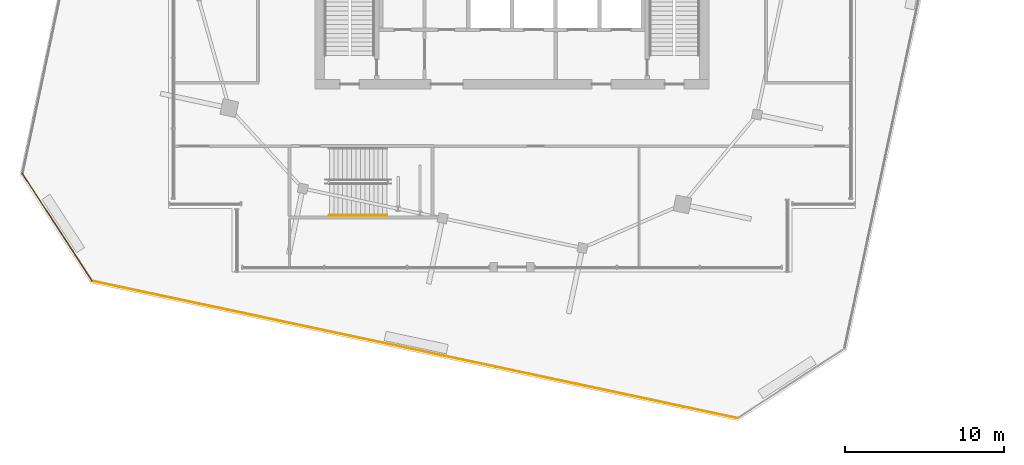
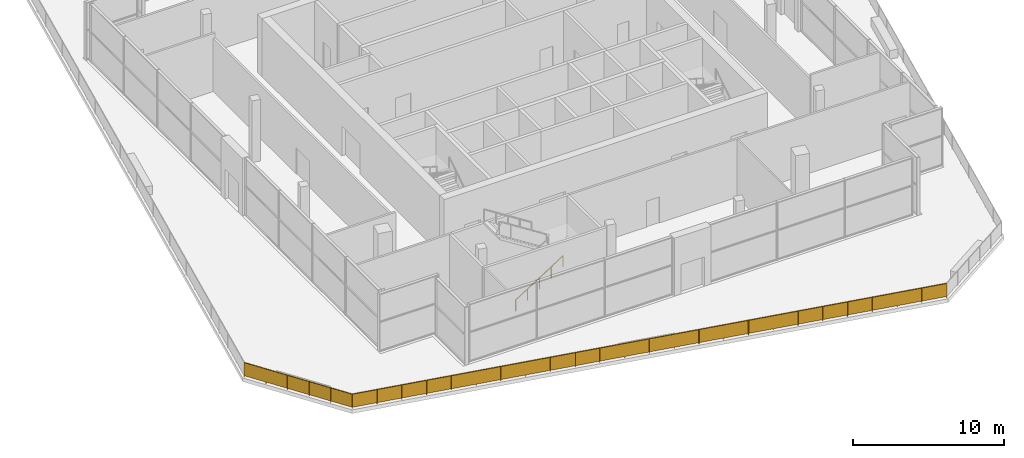
# One storey, part 11 of 14: 3 railings.
"""IFC4 building model written with IfcOpenShell, lengths in metres."""

import ifcopenshell
import ifcopenshell.guid

model = None  # the IFC model being written
_history = None  # IfcOwnerHistory: only IFC2X3 demands one
_inside = {}  # id of a spatial element -> (the spatial element, [elements in it])
_under = {}  # id of a project, library or spatial element -> (it, [spatial elements below it])
_declared = {}  # id of a project -> (the project, [libraries it declares])
_typed = {}  # id of a type object -> (the type object, [elements of that type])
_made_of = {}  # id of a material, layer set ... -> (it, [elements and type objects made of it])


def new_model(schema):
    """Start an empty IFC model of exactly this schema.

    Asked for "IFC4X3", IfcOpenShell would pick the latest addendum, in which some entities
    have other attributes; the version numbers below select the first issue.
    IFC2X3 requires an IfcOwnerHistory on every rooted entity: one is made here for all.
    """
    global model, _history
    if schema == "IFC4X3":
        model = ifcopenshell.file(schema_version=(4, 3, 0, 0))
    else:
        model = ifcopenshell.file(schema=schema)
    _inside.clear()
    _under.clear()
    _declared.clear()
    _typed.clear()
    _made_of.clear()
    _history = None
    if model.schema == "IFC2X3":
        org = make("IfcOrganization", Name="unknown")
        user = make(
            "IfcPersonAndOrganization",
            ThePerson=make("IfcPerson", FamilyName="unknown"),
            TheOrganization=org,
        )
        app = make(
            "IfcApplication",
            ApplicationDeveloper=org,
            Version="unknown",
            ApplicationFullName="unknown",
            ApplicationIdentifier="unknown",
        )
        _history = make(
            "IfcOwnerHistory",
            OwningUser=user,
            OwningApplication=app,
            ChangeAction="ADDED",
            CreationDate=0,
        )
    return model


def make(cls, **values):
    """One entity of the class cls with the attributes given. An attribute that is None is left unset."""
    return model.create_entity(
        cls, **{name: value for name, value in values.items() if value is not None}
    )


def rooted(cls, **values):
    """An entity with a GlobalId (a new one), such as an element, a storey or a relation."""
    return make(cls, GlobalId=ifcopenshell.guid.new(), OwnerHistory=_history, **values)


def si_unit(unit_type, name, prefix=None):
    """IfcSIUnit, for example si_unit("LENGTHUNIT", "METRE", prefix="MILLI")."""
    return make("IfcSIUnit", UnitType=unit_type, Prefix=prefix, Name=name)


def assignment(units):
    """IfcUnitAssignment: the units of a project."""
    return None if units is None else make("IfcUnitAssignment", Units=units)


def point(xyz):
    """IfcCartesianPoint."""
    return None if xyz is None else make("IfcCartesianPoint", Coordinates=xyz)


def direction(xyz):
    """IfcDirection."""
    return None if xyz is None else make("IfcDirection", DirectionRatios=xyz)


def frame(location, z_axis=None, x_axis=None):
    """IfcAxis2Placement3D, a coordinate frame: its origin and axes. An axis left out is left unset."""
    return make(
        "IfcAxis2Placement3D",
        Location=point(location),
        Axis=direction(z_axis),
        RefDirection=direction(x_axis),
    )


def frame_2d(location, x_axis=None):
    """IfcAxis2Placement2D, a coordinate frame in the plane: its origin and x axis."""
    return make(
        "IfcAxis2Placement2D", Location=point(location), RefDirection=direction(x_axis)
    )


def origin():
    """The frame at (0, 0, 0) with its axes left unset."""
    return frame((0.0, 0.0, 0.0))


def origin_2d():
    """The frame at (0, 0) in the plane with its x axis left unset."""
    return frame_2d((0.0, 0.0))


def place(relative_to, where):
    """IfcLocalPlacement: puts the frame where relative to a parent placement (None: the world)."""
    return make(
        "IfcLocalPlacement", PlacementRelTo=relative_to, RelativePlacement=where
    )


def context(
    kind, dimensions, precision=None, world=None, true_north=None, identifier=None
):
    """IfcGeometricRepresentationContext, for example the 3D "Model" context."""
    return make(
        "IfcGeometricRepresentationContext",
        ContextIdentifier=identifier,
        ContextType=kind,
        CoordinateSpaceDimension=dimensions,
        Precision=precision,
        WorldCoordinateSystem=world,
        TrueNorth=true_north,
    )


def subcontext(parent, identifier, kind, view, scale=None):
    """IfcGeometricRepresentationSubContext, for example "Body" below "Model"."""
    return make(
        "IfcGeometricRepresentationSubContext",
        ContextIdentifier=identifier,
        ContextType=kind,
        ParentContext=parent,
        TargetScale=scale,
        TargetView=view,
    )


def project(units=None, contexts=None):
    """IfcProject with its units and contexts."""
    return rooted(
        "IfcProject",
        Name="project",
        RepresentationContexts=contexts,
        UnitsInContext=assignment(units),
    )


def spatial(cls, under=None, at=None, **own):
    """A site, building, storey or space (cls), placed at a placement, below another one or the project."""
    s = rooted(cls, ObjectPlacement=at, **own)
    if under is not None:
        _under.setdefault(under.id(), (under, []))[1].append(s)
    return s


def profile(cls, at=None, kind="AREA", **sizes):
    """A parametric profile (cls). Its sizes go by their IFC names, for example OverallWidth=200.0."""
    return make(cls, ProfileType=kind, Position=at, **sizes)


def rectangle(**sizes):
    """IfcRectangleProfileDef."""
    return profile("IfcRectangleProfileDef", **sizes)


def circle(**sizes):
    """IfcCircleProfileDef."""
    return profile("IfcCircleProfileDef", **sizes)


def extrude(swept, where, along, depth):
    """IfcExtrudedAreaSolid: the profile swept, set in the frame where, extruded along a direction by depth."""
    return make(
        "IfcExtrudedAreaSolid",
        SweptArea=swept,
        Position=where,
        ExtrudedDirection=direction(along),
        Depth=depth,
    )


def shape(context_of_items, identifier, shape_type, items):
    """IfcShapeRepresentation: the items that make up one representation, for example the "Body"."""
    return make(
        "IfcShapeRepresentation",
        ContextOfItems=context_of_items,
        RepresentationIdentifier=identifier,
        RepresentationType=shape_type,
        Items=items,
    )


def material(Name=None, Category=None):
    """IfcMaterial."""
    return make("IfcMaterial", Name=Name, Category=Category)


def made_of(thing, what):
    """Note that an element or type object is made of a material, layer set ...; save() writes the relation."""
    if what is not None:
        _made_of.setdefault(what.id(), (what, []))[1].append(thing)
    return thing


def type_object(cls, material=None, **own):
    """A type object (cls), such as IfcWallType, which elements share."""
    return made_of(rooted(cls, **own), material)


def element(
    cls,
    number,
    at=None,
    inside=None,
    cuts=None,
    type_object=None,
    material=None,
    context=None,
    identifier="Body",
    shape_type=None,
    held_by="IfcProductDefinitionShape",
    body=None,
    shapes=None,
    **own,
):
    """One element of the class cls, such as IfcWall. Its Tag is "e" and its number.

    at: its placement. inside: the storey or other place that contains it. cuts: it is an
    opening in that element (IfcRelVoidsElement). A single representation is given by context,
    identifier, shape_type and body (its items); several are given by shapes. held_by: the class
    of the entity that holds the representations. save() writes the other relations.
    """
    e = rooted(cls, Tag="e%d" % number, ObjectPlacement=at, **own)
    if body is not None:
        shapes = [shape(context, identifier, shape_type, body)]
    if shapes is not None:
        e.Representation = make(held_by, Representations=shapes)
    if inside is not None:
        _inside.setdefault(inside.id(), (inside, []))[1].append(e)
    if cuts is not None:
        rooted(
            "IfcRelVoidsElement", RelatingBuildingElement=cuts, RelatedOpeningElement=e
        )
    if type_object is not None:
        _typed.setdefault(type_object.id(), (type_object, []))[1].append(e)
    return made_of(e, material)


def aggregate(whole, parts):
    """IfcRelAggregates: a whole, such as a stair, and the parts it consists of."""
    return rooted("IfcRelAggregates", RelatingObject=whole, RelatedObjects=parts)


def save(model, path):
    """Write the relations noted so far, then the file.

    IfcRelAggregates (storeys below a building ...), IfcRelContainedInSpatialStructure (elements
    in a storey), IfcRelDefinesByType, IfcRelAssociatesMaterial and IfcRelDeclares: one each for
    every whole, place, type object, material and project.
    """
    for whole, parts in _under.values():
        aggregate(whole, parts)
    for where, things in _inside.values():
        rooted(
            "IfcRelContainedInSpatialStructure",
            RelatedElements=things,
            RelatingStructure=where,
        )
    for kind, things in _typed.values():
        rooted("IfcRelDefinesByType", RelatedObjects=things, RelatingType=kind)
    for what, things in _made_of.values():
        rooted("IfcRelAssociatesMaterial", RelatedObjects=things, RelatingMaterial=what)
    for by, libraries in _declared.values():
        rooted("IfcRelDeclares", RelatingContext=by, RelatedDefinitions=libraries)
    model.write(path)


model = new_model("IFC4")

# Units and contexts
model_context = context("Model", 3, precision=1e-05, world=origin(), true_north=direction((0.0, 1.0)))
body_context = subcontext(model_context, "Body", "Model", "MODEL_VIEW")
ifc_project = project(units=[si_unit("LENGTHUNIT", "METRE"), si_unit("AREAUNIT", "SQUARE_METRE"), si_unit("VOLUMEUNIT", "CUBIC_METRE"), si_unit("PLANEANGLEUNIT", "RADIAN"), si_unit("MASSUNIT", "GRAM", prefix="KILO")], contexts=[model_context])

# Site, building, storey
site_placement = place(None, origin())
site = spatial("IfcSite", under=ifc_project, at=site_placement, CompositionType="ELEMENT")
building_placement = place(site_placement, origin())
building = spatial("IfcBuilding", under=site, at=building_placement, Name="Dilmun Exchange Tower", CompositionType="ELEMENT")
storey_placement = place(building_placement, frame((0.0, 0.0, 368.10009765625)))
storey = spatial("IfcBuildingStorey", under=building, at=storey_placement, Name="Crown L86", CompositionType="ELEMENT", Elevation=368.10009765625)

# Railings
ifc_material_1 = material(Name="Handrail 900")
railing_type_1 = type_object("IfcRailingType", Name="Handrail 900", PredefinedType="HANDRAIL", material=ifc_material_1)
railing_1_placement = place(storey_placement, frame((-11.5, -20.35009765625, 0.178466796875)))
element("IfcRailing", 1, at=railing_1_placement, inside=storey, type_object=railing_type_1, Name="Crown L86 CS1 stair handrail 1", PredefinedType="HANDRAIL", context=body_context, shape_type="SweptSolid", body=[
    extrude(circle(Radius=0.02392578125, at=origin_2d()), frame((0.0, 0.0, 0.8759765625), z_axis=(0.843111507901, 0.0, 0.53773877045), x_axis=(0.0, 1.0, 0.0)), (0.0, 0.0, 1.0), 4.317138671875),
    extrude(circle(Radius=0.02099609375, at=origin_2d()), origin(), (0.0, 0.0, 1.0), 0.851806640625),
    extrude(circle(Radius=0.02099609375, at=origin_2d()), frame((0.909912109375, 0.0, 0.580322265625)), (0.0, 0.0, 1.0), 0.851806640625),
    extrude(circle(Radius=0.02099609375, at=origin_2d()), frame((1.81982421875, 0.0, 1.16064453125)), (0.0, 0.0, 1.0), 0.851806640625),
    extrude(circle(Radius=0.02099609375, at=origin_2d()), frame((2.72998046875, 0.0, 1.7412109375)), (0.0, 0.0, 1.0), 0.851806640625),
    extrude(circle(Radius=0.02099609375, at=origin_2d()), frame((3.639892578125, 0.0, 2.321533203125)), (0.0, 0.0, 1.0), 0.851806640625),
])
ifc_material_2 = material(Name="Laminated glass and stainless steel", Category="steel")
railing_type_2 = type_object("IfcRailingType", Name="Public deck guard 1200 laminated glass", PredefinedType="GUARDRAIL", material=ifc_material_2)
railing_2_placement = place(storey_placement, frame((-30.8125, -17.743408203125, 0.0)))
element("IfcRailing", 2, at=railing_2_placement, inside=storey, type_object=railing_type_2, Name="Observation deck guard 6", PredefinedType="GUARDRAIL", context=body_context, shape_type="SweptSolid", body=[
    extrude(circle(Radius=0.02392578125, at=origin_2d()), frame((0.0, 0.0, 1.17578125), z_axis=(0.544658673741, -0.838657814081, 0.0), x_axis=(0.838657814081, 0.544658673741, 0.0)), (0.0, 0.0, 1.0), 8.044189453125),
    extrude(rectangle(XDim=0.011962890625, YDim=1.0517578125, at=origin_2d()), frame((0.0, 0.0, 0.6259765625), z_axis=(0.544658673741, -0.838657814081, 0.0), x_axis=(0.838657814081, 0.544658673741, 0.0)), (0.0, 0.0, 1.0), 8.044189453125),
    extrude(circle(Radius=0.02099609375, at=origin_2d()), origin(), (0.0, 0.0, 1.0), 1.15185546875),
    extrude(circle(Radius=0.02099609375, at=origin_2d()), frame((0.876220703125, -1.349365234375, 0.0)), (0.0, 0.0, 1.0), 1.15185546875),
    extrude(circle(Radius=0.02099609375, at=origin_2d()), frame((1.75244140625, -2.698486328125, 0.0)), (0.0, 0.0, 1.0), 1.15185546875),
    extrude(circle(Radius=0.02099609375, at=origin_2d()), frame((2.62890625, -4.0478515625, 0.0)), (0.0, 0.0, 1.0), 1.15185546875),
    extrude(circle(Radius=0.02099609375, at=origin_2d()), frame((3.505126953125, -5.39697265625, 0.0)), (0.0, 0.0, 1.0), 1.15185546875),
    extrude(circle(Radius=0.02099609375, at=origin_2d()), frame((4.38134765625, -6.746337890625, 0.0)), (0.0, 0.0, 1.0), 1.15185546875),
])
railing_3_placement = place(storey_placement, frame((-26.43115234375, -24.48974609375, 0.0)))
element("IfcRailing", 3, at=railing_3_placement, inside=storey, type_object=railing_type_2, Name="Observation deck guard 7", PredefinedType="GUARDRAIL", context=body_context, shape_type="SweptSolid", body=[
    extrude(circle(Radius=0.02392578125, at=origin_2d()), frame((0.0, 0.0, 1.17578125), z_axis=(0.978147313552, -0.207913041895, 0.0), x_axis=(0.207913041895, 0.978147313552, 0.0)), (0.0, 0.0, 1.0), 41.523681640625),
    extrude(rectangle(XDim=0.011962890625, YDim=1.0517578125, at=origin_2d()), frame((0.0, 0.0, 0.6259765625), z_axis=(0.978147313552, -0.207913041895, 0.0), x_axis=(0.207913041895, 0.978147313552, 0.0)), (0.0, 0.0, 1.0), 41.523681640625),
    extrude(circle(Radius=0.02099609375, at=origin_2d()), origin(), (0.0, 0.0, 1.0), 1.15185546875),
    extrude(circle(Radius=0.02099609375, at=origin_2d()), frame((1.6923828125, -0.359619140625, 0.0)), (0.0, 0.0, 1.0), 1.15185546875),
    extrude(circle(Radius=0.02099609375, at=origin_2d()), frame((3.384765625, -0.719482421875, 0.0)), (0.0, 0.0, 1.0), 1.15185546875),
    extrude(circle(Radius=0.02099609375, at=origin_2d()), frame((5.0771484375, -1.0791015625, 0.0)), (0.0, 0.0, 1.0), 1.15185546875),
    extrude(circle(Radius=0.02099609375, at=origin_2d()), frame((6.769287109375, -1.43896484375, 0.0)), (0.0, 0.0, 1.0), 1.15185546875),
    extrude(circle(Radius=0.02099609375, at=origin_2d()), frame((8.461669921875, -1.798583984375, 0.0)), (0.0, 0.0, 1.0), 1.15185546875),
    extrude(circle(Radius=0.02099609375, at=origin_2d()), frame((10.154052734375, -2.158203125, 0.0)), (0.0, 0.0, 1.0), 1.15185546875),
    extrude(circle(Radius=0.02099609375, at=origin_2d()), frame((11.846435546875, -2.51806640625, 0.0)), (0.0, 0.0, 1.0), 1.15185546875),
    extrude(circle(Radius=0.02099609375, at=origin_2d()), frame((13.538818359375, -2.877685546875, 0.0)), (0.0, 0.0, 1.0), 1.15185546875),
    extrude(circle(Radius=0.02099609375, at=origin_2d()), frame((15.23095703125, -3.237548828125, 0.0)), (0.0, 0.0, 1.0), 1.15185546875),
    extrude(circle(Radius=0.02099609375, at=origin_2d()), frame((16.92333984375, -3.59716796875, 0.0)), (0.0, 0.0, 1.0), 1.15185546875),
    extrude(circle(Radius=0.02099609375, at=origin_2d()), frame((18.61572265625, -3.95703125, 0.0)), (0.0, 0.0, 1.0), 1.15185546875),
    extrude(circle(Radius=0.02099609375, at=origin_2d()), frame((20.30810546875, -4.316650390625, 0.0)), (0.0, 0.0, 1.0), 1.15185546875),
    extrude(circle(Radius=0.02099609375, at=origin_2d()), frame((22.00048828125, -4.67626953125, 0.0)), (0.0, 0.0, 1.0), 1.15185546875),
    extrude(circle(Radius=0.02099609375, at=origin_2d()), frame((23.69287109375, -5.0361328125, 0.0)), (0.0, 0.0, 1.0), 1.15185546875),
    extrude(circle(Radius=0.02099609375, at=origin_2d()), frame((25.38525390625, -5.395751953125, 0.0)), (0.0, 0.0, 1.0), 1.15185546875),
    extrude(circle(Radius=0.02099609375, at=origin_2d()), frame((27.077392578125, -5.755615234375, 0.0)), (0.0, 0.0, 1.0), 1.15185546875),
    extrude(circle(Radius=0.02099609375, at=origin_2d()), frame((28.769775390625, -6.115234375, 0.0)), (0.0, 0.0, 1.0), 1.15185546875),
    extrude(circle(Radius=0.02099609375, at=origin_2d()), frame((30.462158203125, -6.47509765625, 0.0)), (0.0, 0.0, 1.0), 1.15185546875),
    extrude(circle(Radius=0.02099609375, at=origin_2d()), frame((32.154541015625, -6.834716796875, 0.0)), (0.0, 0.0, 1.0), 1.15185546875),
    extrude(circle(Radius=0.02099609375, at=origin_2d()), frame((33.846923828125, -7.1943359375, 0.0)), (0.0, 0.0, 1.0), 1.15185546875),
    extrude(circle(Radius=0.02099609375, at=origin_2d()), frame((35.5390625, -7.55419921875, 0.0)), (0.0, 0.0, 1.0), 1.15185546875),
    extrude(circle(Radius=0.02099609375, at=origin_2d()), frame((37.2314453125, -7.913818359375, 0.0)), (0.0, 0.0, 1.0), 1.15185546875),
    extrude(circle(Radius=0.02099609375, at=origin_2d()), frame((38.923828125, -8.273681640625, 0.0)), (0.0, 0.0, 1.0), 1.15185546875),
    extrude(circle(Radius=0.02099609375, at=origin_2d()), frame((40.6162109375, -8.63330078125, 0.0)), (0.0, 0.0, 1.0), 1.15185546875),
])

save(model, "model.ifc")
